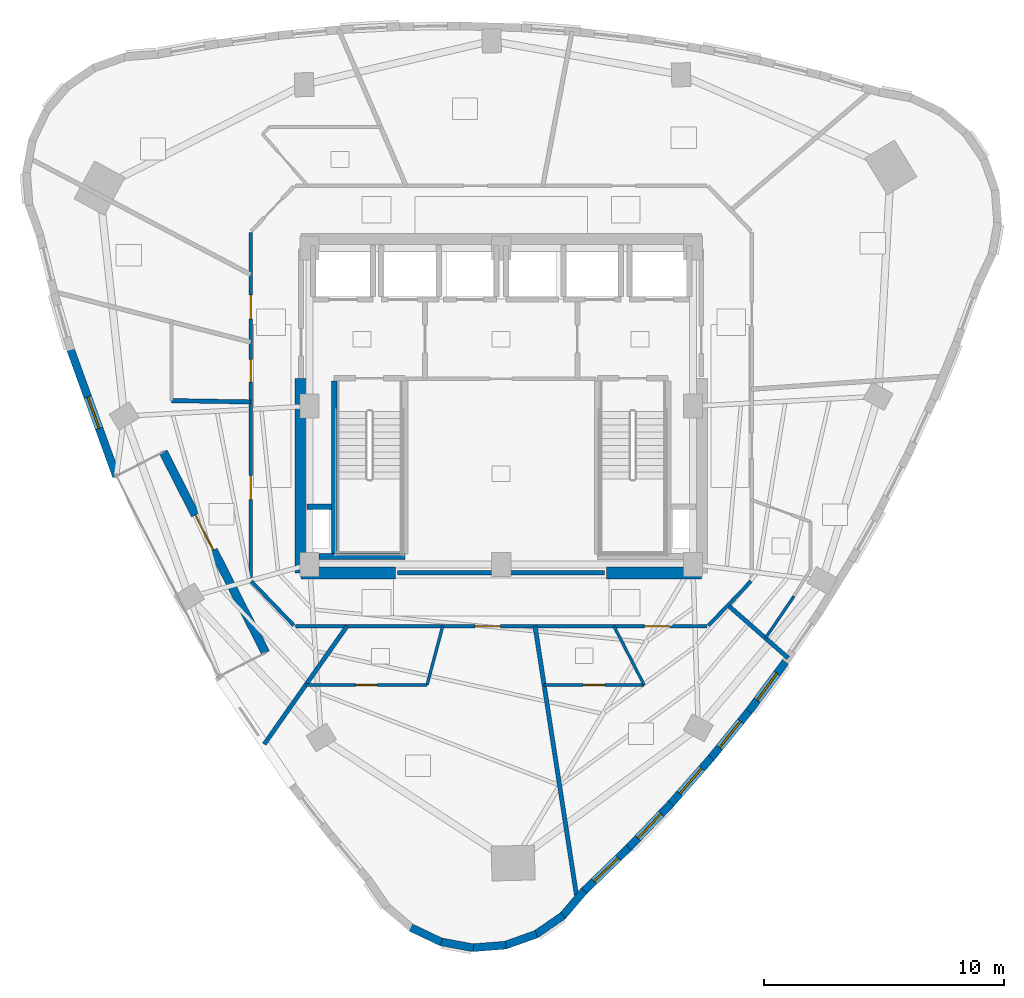
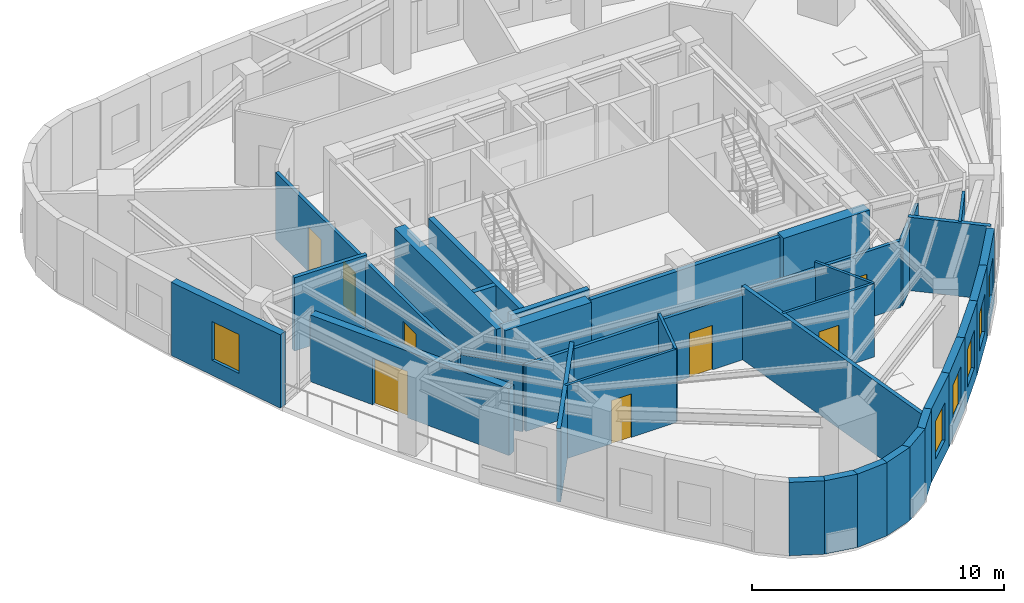
# One storey, part 6 of 12: 33 walls, 8 doors, 6 windows, 14 openings.
"""IFC4 building model written with IfcOpenShell, lengths in metres."""

from ifc_helpers import new_model, si_unit, direction, frame, frame_2d, origin, place, context, subcontext, project, spatial, rectangle, extrude, material, layer, layer_set, type_object, element, fill, save


model = new_model("IFC4")

# Units and contexts
model_context = context("Model", 3, precision=1e-05, world=origin(), true_north=direction((0.0, 1.0)))
body_context = subcontext(model_context, "Body", "Model", "MODEL_VIEW")
ifc_project = project(units=[si_unit("LENGTHUNIT", "METRE"), si_unit("AREAUNIT", "SQUARE_METRE"), si_unit("VOLUMEUNIT", "CUBIC_METRE"), si_unit("PLANEANGLEUNIT", "RADIAN"), si_unit("MASSUNIT", "GRAM", prefix="KILO")], contexts=[model_context])

# Site, building, storey
site_placement = place(None, origin())
site = spatial("IfcSite", under=ifc_project, at=site_placement, CompositionType="ELEMENT")
building_placement = place(site_placement, origin())
building = spatial("IfcBuilding", under=site, at=building_placement, Name="Ndelora Gate Hotel", CompositionType="ELEMENT")
storey_placement = place(building_placement, frame((0.0, 0.0, 201.75)))
storey = spatial("IfcBuildingStorey", under=building, at=storey_placement, Name="L50", CompositionType="ELEMENT", Elevation=201.75)

# Walls
ifc_material_1 = material(Name="Acoustic Double-Stud Gypsum Assembly", Category="gypsum")
ifc_layer_1 = layer(ifc_material_1, 0.179931640625)
ifc_layer_set_1 = layer_set([ifc_layer_1], Name="Acoustic Double-Stud Gypsum Assembly")
wall_type_1 = type_object("IfcWallType", Name="WL-ACOUST-180", PredefinedType="PARTITIONING", material=ifc_layer_set_1)
wall_1_placement = place(storey_placement, frame((-10.449951171875, 0.177490234375, 0.0), z_axis=(0.0, 0.0, 1.0), x_axis=(-0.999856521487, 0.0169391983, 0.0)))
element("IfcWall", 1, at=wall_1_placement, inside=storey, type_object=wall_type_1, Name="L50 Interior Wall IW-3", PredefinedType="PARTITIONING", context=body_context, shape_type="SweptSolid", body=[
    extrude(rectangle(XDim=3.300537109375, YDim=0.179931640625, at=frame_2d((1.650390625, 0.0))), origin(), (0.0, 0.0, 1.0), 3.550048828125),
])
wall_2_placement = place(storey_placement, frame((-6.434326171875, -9.179931640625, 0.0), z_axis=(0.0, 0.0, 1.0), x_axis=(-0.573963891335, -0.818880608785, 0.0)))
element("IfcWall", 2, at=wall_2_placement, inside=storey, type_object=wall_type_1, Name="L50 Interior Wall IW-3", PredefinedType="PARTITIONING", context=body_context, shape_type="SweptSolid", body=[
    extrude(rectangle(XDim=6.010009765625, YDim=0.179931640625, at=frame_2d((3.0048828125, 0.0))), origin(), (0.0, 0.0, 1.0), 3.550048828125),
])
wall_3_placement = place(storey_placement, frame((1.4140625, -9.179931640625, 0.0), z_axis=(0.0, 0.0, 1.0), x_axis=(0.15222758157, -0.988345467643, 0.0)))
element("IfcWall", 3, at=wall_3_placement, inside=storey, type_object=wall_type_1, Name="L50 Interior Wall IW-3", PredefinedType="PARTITIONING", context=body_context, shape_type="SweptSolid", body=[
    extrude(rectangle(XDim=11.52001953125, YDim=0.179931640625, at=frame_2d((5.760009765625, 0.0))), origin(), (0.0, 0.0, 1.0), 3.550048828125),
])
wall_4_placement = place(storey_placement, frame((9.464111328125, -8.3037109375, 0.0), z_axis=(0.0, 0.0, 1.0), x_axis=(0.751711445712, -0.659492154909, 0.0)))
element("IfcWall", 4, at=wall_4_placement, inside=storey, type_object=wall_type_1, Name="L50 Interior Wall IW-3", PredefinedType="PARTITIONING", context=body_context, shape_type="SweptSolid", body=[
    extrude(rectangle(XDim=3.341064453125, YDim=0.179931640625, at=frame_2d((1.67041015625, 0.0))), origin(), (0.0, 0.0, 1.0), 3.550048828125),
])

# Wall, opening, window
ifc_material_2 = material(Name="Clay Brick Masonry", Category="masonry")
ifc_layer_2 = layer(ifc_material_2, 0.330078125)
ifc_layer_set_2 = layer_set([ifc_layer_2], Name="Clay Brick Masonry")
wall_type_2 = type_object("IfcWallType", Name="WL-BRICK-330", PredefinedType="SOLIDWALL", material=ifc_layer_set_2)
wall_5_placement = place(storey_placement, frame((-16.051513671875, -2.931640625, 0.0), z_axis=(0.0, 0.0, 1.0), x_axis=(-0.340145014301, 0.940372994745, 0.0)))
wall_5 = element("IfcWall", 5, at=wall_5_placement, inside=storey, type_object=wall_type_2, Name="L50 Tower Brick Pier-and-Spandrel Wall TWR-11", PredefinedType="SOLIDWALL", context=body_context, shape_type="SweptSolid", body=[
    extrude(rectangle(XDim=5.65673828125, YDim=0.330078125, at=frame_2d((2.828369140625, 0.0))), origin(), (0.0, 0.0, 1.0), 3.550048828125),
])
opening_1_placement = place(wall_5_placement, frame((2.12841796875, 0.0, 0.719970703125)))
opening_1 = element("IfcOpeningElement", 6, at=opening_1_placement, cuts=wall_5, Name="Opening W02", PredefinedType="OPENING", context=body_context, shape_type="SweptSolid", body=[
    extrude(rectangle(XDim=1.39990234375, YDim=1.8798828125, at=frame_2d((0.699951171875, 0.93994140625))), frame((0.0, 0.175048828125, 0.0), z_axis=(0.0, -1.0, 0.0), x_axis=(1.0, 0.0, 0.0)), (0.0, 0.0, 1.0), 0.35009765625),
])
ifc_material_3 = material(Name="Insulated Low-E Double Glazing in Bronze Aluminium Frame", Category="aluminium")
window_type = type_object("IfcWindowType", Name="WN-DEEP-1400", PartitioningType="SINGLE_PANEL", PredefinedType="WINDOW", material=ifc_material_3)
window_1_placement = place(opening_1_placement, origin())
window_1 = element("IfcWindow", 7, at=window_1_placement, inside=storey, type_object=window_type, Name="L50 Deep-Set Brick-Pier Window W02", OverallHeight=1.8798828125, OverallWidth=1.39990234375, PartitioningType="SINGLE_PANEL", PredefinedType="WINDOW", context=body_context, shape_type="SweptSolid", body=[
    extrude(rectangle(XDim=1.39990234375, YDim=1.8798828125, at=frame_2d((0.699951171875, 0.93994140625))), frame((0.0, 0.030029296875, 0.0), z_axis=(0.0, -1.0, 0.0), x_axis=(1.0, 0.0, 0.0)), (0.0, 0.0, 1.0), 0.06005859375),
])
fill(opening_1, window_1)

# Walls
for number, where, z_axis, x_axis, name in (
    (8, (-2.496337890625, -22.360595703125, 0.0), (0.0, 0.0, 1.0), (-0.902597460438, 0.43048556818, 0.0), "L50 Tower Brick Pier-and-Spandrel Wall TWR-21"),
    (9, (-1.15966796875, -22.601806640625, 0.0), (0.0, 0.0, 1.0), (-0.983245180137, 0.182288002174, 0.0), "L50 Tower Brick Pier-and-Spandrel Wall TWR-22"),
):
    element("IfcWall", number, at=place(storey_placement, frame(where, z_axis=z_axis, x_axis=x_axis)), inside=storey, type_object=wall_type_2, Name=name, PredefinedType="SOLIDWALL", context=body_context, shape_type="SweptSolid", body=[
        extrude(rectangle(XDim=1.40771484375, YDim=0.330078125, at=frame_2d((0.703857421875, 0.0))), origin(), (0.0, 0.0, 1.0), 3.550048828125),
    ])
for number, where, z_axis, x_axis, name in (
    (10, (0.19384765625, -22.48876953125, 0.0), (0.0, 0.0, 1.0), (-0.996907811278, -0.07857999626, 0.0), "L50 Tower Brick Pier-and-Spandrel Wall TWR-23"),
    (11, (1.47216796875, -22.029296875, 0.0), (0.0, 0.0, 1.0), (-0.942656791627, -0.33376364871, 0.0), "L50 Tower Brick Pier-and-Spandrel Wall TWR-24"),
    (12, (2.587890625, -21.254638671875, 0.0), (0.0, 0.0, 1.0), (-0.824148199331, -0.566374209812, 0.0), "L50 Tower Brick Pier-and-Spandrel Wall TWR-25"),
    (13, (3.465087890625, -20.217529296875, 0.0), (0.0, 0.0, 1.0), (-0.649318671118, -0.760516445146, 0.0), "L50 Tower Brick Pier-and-Spandrel Wall TWR-26"),
):
    element("IfcWall", number, at=place(storey_placement, frame(where, z_axis=z_axis, x_axis=x_axis)), inside=storey, type_object=wall_type_2, Name=name, PredefinedType="SOLIDWALL", context=body_context, shape_type="SweptSolid", body=[
        extrude(rectangle(XDim=1.407470703125, YDim=0.330078125, at=frame_2d((0.70361328125, 0.0))), origin(), (0.0, 0.0, 1.0), 3.550048828125),
    ])

# Wall, opening, window
wall_6_placement = place(storey_placement, frame((5.323974609375, -18.425537109375, 0.0), z_axis=(0.0, 0.0, 1.0), x_axis=(-0.719291162425, -0.694708732964, 0.0)))
wall_6 = element("IfcWall", 14, at=wall_6_placement, inside=storey, type_object=wall_type_2, Name="L50 Tower Brick Pier-and-Spandrel Wall TWR-27", PredefinedType="SOLIDWALL", context=body_context, shape_type="SweptSolid", body=[
    extrude(rectangle(XDim=2.6318359375, YDim=0.330078125, at=frame_2d((1.31591796875, 0.0))), origin(), (0.0, 0.0, 1.0), 3.550048828125),
])
opening_2_placement = place(wall_6_placement, frame((0.61572265625, 0.0, 0.719970703125)))
opening_2 = element("IfcOpeningElement", 15, at=opening_2_placement, cuts=wall_6, Name="Opening W02", PredefinedType="OPENING", context=body_context, shape_type="SweptSolid", body=[
    extrude(rectangle(XDim=1.39990234375, YDim=1.840087890625, at=frame_2d((0.699951171875, 0.919921875))), frame((0.0, 0.175048828125, 0.0), z_axis=(0.0, -1.0, 0.0), x_axis=(1.0, 0.0, 0.0)), (0.0, 0.0, 1.0), 0.35009765625),
])
window_2_placement = place(opening_2_placement, origin())
window_2 = element("IfcWindow", 16, at=window_2_placement, inside=storey, type_object=window_type, Name="L50 Deep-Set Brick-Pier Window W02", OverallHeight=1.840087890625, OverallWidth=1.39990234375, PartitioningType="SINGLE_PANEL", PredefinedType="WINDOW", context=body_context, shape_type="SweptSolid", body=[
    extrude(rectangle(XDim=1.39990234375, YDim=1.840087890625, at=frame_2d((0.699951171875, 0.919921875))), frame((0.0, 0.030029296875, 0.0), z_axis=(0.0, -1.0, 0.0), x_axis=(1.0, 0.0, 0.0)), (0.0, 0.0, 1.0), 0.06005859375),
])
fill(opening_2, window_2)

wall_7_placement = place(storey_placement, frame((7.091796875, -16.573974609375, 0.0), z_axis=(0.0, 0.0, 1.0), x_axis=(-0.690836041792, -0.723011454516, 0.0)))
wall_7 = element("IfcWall", 17, at=wall_7_placement, inside=storey, type_object=wall_type_2, Name="L50 Tower Brick Pier-and-Spandrel Wall TWR-28", PredefinedType="SOLIDWALL", context=body_context, shape_type="SweptSolid", body=[
    extrude(rectangle(XDim=2.610107421875, YDim=0.330078125, at=frame_2d((1.30517578125, 0.0))), origin(), (0.0, 0.0, 1.0), 3.550048828125),
])
opening_3_placement = place(wall_7_placement, frame((0.60498046875, 0.0, 0.719970703125)))
opening_3 = element("IfcOpeningElement", 18, at=opening_3_placement, cuts=wall_7, Name="Opening W02", PredefinedType="OPENING", context=body_context, shape_type="SweptSolid", body=[
    extrude(rectangle(XDim=1.39990234375, YDim=1.840087890625, at=frame_2d((0.699951171875, 0.919921875))), frame((0.0, 0.175048828125, 0.0), z_axis=(0.0, -1.0, 0.0), x_axis=(1.0, 0.0, 0.0)), (0.0, 0.0, 1.0), 0.35009765625),
])
window_3_placement = place(opening_3_placement, origin())
window_3 = element("IfcWindow", 19, at=window_3_placement, inside=storey, type_object=window_type, Name="L50 Deep-Set Brick-Pier Window W02", OverallHeight=1.840087890625, OverallWidth=1.39990234375, PartitioningType="SINGLE_PANEL", PredefinedType="WINDOW", context=body_context, shape_type="SweptSolid", body=[
    extrude(rectangle(XDim=1.39990234375, YDim=1.840087890625, at=frame_2d((0.699951171875, 0.919921875))), frame((0.0, 0.030029296875, 0.0), z_axis=(0.0, -1.0, 0.0), x_axis=(1.0, 0.0, 0.0)), (0.0, 0.0, 1.0), 0.06005859375),
])
fill(opening_3, window_3)

wall_8_placement = place(storey_placement, frame((8.770751953125, -14.664794921875, 0.0), z_axis=(0.0, 0.0, 1.0), x_axis=(-0.660708561144, -0.75064252293, 0.0)))
wall_8 = element("IfcWall", 20, at=wall_8_placement, inside=storey, type_object=wall_type_2, Name="L50 Tower Brick Pier-and-Spandrel Wall TWR-29", PredefinedType="SOLIDWALL", context=body_context, shape_type="SweptSolid", body=[
    extrude(rectangle(XDim=2.592529296875, YDim=0.330078125, at=frame_2d((1.29638671875, 0.0))), origin(), (0.0, 0.0, 1.0), 3.550048828125),
])
opening_4_placement = place(wall_8_placement, frame((0.59619140625, 0.0, 0.719970703125)))
opening_4 = element("IfcOpeningElement", 21, at=opening_4_placement, cuts=wall_8, Name="Opening W02", PredefinedType="OPENING", context=body_context, shape_type="SweptSolid", body=[
    extrude(rectangle(XDim=1.39990234375, YDim=1.840087890625, at=frame_2d((0.699951171875, 0.919921875))), frame((0.0, 0.175048828125, 0.0), z_axis=(0.0, -1.0, 0.0), x_axis=(1.0, 0.0, 0.0)), (0.0, 0.0, 1.0), 0.35009765625),
])
window_4_placement = place(opening_4_placement, origin())
window_4 = element("IfcWindow", 22, at=window_4_placement, inside=storey, type_object=window_type, Name="L50 Deep-Set Brick-Pier Window W02", OverallHeight=1.840087890625, OverallWidth=1.39990234375, PartitioningType="SINGLE_PANEL", PredefinedType="WINDOW", context=body_context, shape_type="SweptSolid", body=[
    extrude(rectangle(XDim=1.39990234375, YDim=1.840087890625, at=frame_2d((0.699951171875, 0.919921875))), frame((0.0, 0.030029296875, 0.0), z_axis=(0.0, -1.0, 0.0), x_axis=(1.0, 0.0, 0.0)), (0.0, 0.0, 1.0), 0.06005859375),
])
fill(opening_4, window_4)

wall_9_placement = place(storey_placement, frame((10.361328125, -12.697998046875, 0.0), z_axis=(0.0, 0.0, 1.0), x_axis=(-0.629151938827, -0.777282341154, 0.0)))
wall_9 = element("IfcWall", 23, at=wall_9_placement, inside=storey, type_object=wall_type_2, Name="L50 Tower Brick Pier-and-Spandrel Wall TWR-30", PredefinedType="SOLIDWALL", context=body_context, shape_type="SweptSolid", body=[
    extrude(rectangle(XDim=2.579345703125, YDim=0.330078125, at=frame_2d((1.28955078125, 0.0))), origin(), (0.0, 0.0, 1.0), 3.550048828125),
])
opening_5_placement = place(wall_9_placement, frame((0.589599609375, 0.0, 0.719970703125)))
opening_5 = element("IfcOpeningElement", 24, at=opening_5_placement, cuts=wall_9, Name="Opening W02", PredefinedType="OPENING", context=body_context, shape_type="SweptSolid", body=[
    extrude(rectangle(XDim=1.39990234375, YDim=1.840087890625, at=frame_2d((0.699951171875, 0.919921875))), frame((0.0, 0.175048828125, 0.0), z_axis=(0.0, -1.0, 0.0), x_axis=(1.0, 0.0, 0.0)), (0.0, 0.0, 1.0), 0.35009765625),
])
window_5_placement = place(opening_5_placement, origin())
window_5 = element("IfcWindow", 25, at=window_5_placement, inside=storey, type_object=window_type, Name="L50 Deep-Set Brick-Pier Window W02", OverallHeight=1.840087890625, OverallWidth=1.39990234375, PartitioningType="SINGLE_PANEL", PredefinedType="WINDOW", context=body_context, shape_type="SweptSolid", body=[
    extrude(rectangle(XDim=1.39990234375, YDim=1.840087890625, at=frame_2d((0.699951171875, 0.919921875))), frame((0.0, 0.030029296875, 0.0), z_axis=(0.0, -1.0, 0.0), x_axis=(1.0, 0.0, 0.0)), (0.0, 0.0, 1.0), 0.06005859375),
])
fill(opening_5, window_5)

wall_10_placement = place(storey_placement, frame((11.86328125, -10.673828125, 0.0), z_axis=(0.0, 0.0, 1.0), x_axis=(-0.596178851143, -0.802851653451, 0.0)))
wall_10 = element("IfcWall", 26, at=wall_10_placement, inside=storey, type_object=wall_type_2, Name="L50 Tower Brick Pier-and-Spandrel Wall TWR-31", PredefinedType="SOLIDWALL", context=body_context, shape_type="SweptSolid", body=[
    extrude(rectangle(XDim=2.570556640625, YDim=0.330078125, at=frame_2d((1.28515625, 0.0))), origin(), (0.0, 0.0, 1.0), 3.550048828125),
])
opening_6_placement = place(wall_10_placement, frame((0.585205078125, 0.0, 0.719970703125)))
opening_6 = element("IfcOpeningElement", 27, at=opening_6_placement, cuts=wall_10, Name="Opening W02", PredefinedType="OPENING", context=body_context, shape_type="SweptSolid", body=[
    extrude(rectangle(XDim=1.39990234375, YDim=1.840087890625, at=frame_2d((0.699951171875, 0.919921875))), frame((0.0, 0.175048828125, 0.0), z_axis=(0.0, -1.0, 0.0), x_axis=(1.0, 0.0, 0.0)), (0.0, 0.0, 1.0), 0.35009765625),
])
window_6_placement = place(opening_6_placement, origin())
window_6 = element("IfcWindow", 28, at=window_6_placement, inside=storey, type_object=window_type, Name="L50 Deep-Set Brick-Pier Window W02", OverallHeight=1.840087890625, OverallWidth=1.39990234375, PartitioningType="SINGLE_PANEL", PredefinedType="WINDOW", context=body_context, shape_type="SweptSolid", body=[
    extrude(rectangle(XDim=1.39990234375, YDim=1.840087890625, at=frame_2d((0.699951171875, 0.919921875))), frame((0.0, 0.030029296875, 0.0), z_axis=(0.0, -1.0, 0.0), x_axis=(1.0, 0.0, 0.0)), (0.0, 0.0, 1.0), 0.06005859375),
])
fill(opening_6, window_6)

# Wall, opening, door
ifc_layer_3 = layer(ifc_material_2, 0.360107421875)
ifc_layer_set_3 = layer_set([ifc_layer_3], Name="Clay Brick Masonry")
wall_type_3 = type_object("IfcWallType", Name="WL-BRICK-360", PredefinedType="SOLIDWALL", material=ifc_layer_set_3)
wall_11_placement = place(storey_placement, frame((-9.83251953125, -10.284912109375, 0.0), z_axis=(0.0, 0.0, 1.0), x_axis=(-0.453963909428, 0.891020072129, 0.0)))
wall_11 = element("IfcWall", 29, at=wall_11_placement, inside=storey, type_object=wall_type_3, Name="L50 Sky-Garden Loggia Rear Brick Wall", PredefinedType="SOLIDWALL", context=body_context, shape_type="SweptSolid", body=[
    extrude(rectangle(XDim=9.400146484375, YDim=0.360107421875, at=frame_2d((4.7001953125, 0.0))), origin(), (0.0, 0.0, 1.0), 3.22998046875),
])
opening_7_placement = place(wall_11_placement, frame((4.800048828125, 0.0, 0.0)))
opening_7 = element("IfcOpeningElement", 30, at=opening_7_placement, cuts=wall_11, Name="Opening TD1", PredefinedType="OPENING", context=body_context, shape_type="SweptSolid", body=[
    extrude(rectangle(XDim=1.64990234375, YDim=2.25, at=frame_2d((0.824951171875, 1.125))), frame((0.0, 0.18994140625, 0.0), z_axis=(0.0, -1.0, 0.0), x_axis=(1.0, 0.0, 0.0)), (0.0, 0.0, 1.0), 0.380126953125),
])
ifc_material_4 = material(Name="Architectural Bronze Glazed Door", Category="metal")
door_type_1 = type_object("IfcDoorType", Name="DR-TER-1650", OperationType="DOUBLE_DOOR_SINGLE_SWING", PredefinedType="DOOR", material=ifc_material_4)
door_1_placement = place(opening_7_placement, origin())
door_1 = element("IfcDoor", 31, at=door_1_placement, inside=storey, type_object=door_type_1, Name="L50 Sky-Garden Terrace Double Door TD1", OperationType="DOUBLE_DOOR_SINGLE_SWING", OverallHeight=2.25, OverallWidth=1.64990234375, PredefinedType="DOOR", context=body_context, shape_type="SweptSolid", body=[
    extrude(rectangle(XDim=1.64990234375, YDim=2.25, at=frame_2d((0.824951171875, 1.125))), frame((0.0, 0.02490234375, 0.0), z_axis=(0.0, -1.0, 0.0), x_axis=(1.0, 0.0, 0.0)), (0.0, 0.0, 1.0), 0.050048828125),
])
fill(opening_7, door_1)

# Walls
ifc_material_5 = material(Name="Concrete C50/60", Category="concrete")
ifc_layer_4 = layer(ifc_material_5, 0.5)
ifc_layer_set_4 = layer_set([ifc_layer_4], Name="Concrete C50/60")
wall_type_4 = type_object("IfcWallType", Name="WL-CORE-500", PredefinedType="SHEAR", material=ifc_layer_set_4)
for number, where, z_axis, x_axis, name in (
    (32, (-8.35009765625, -6.949951171875, 0.0), (0.0, 0.0, 1.0), (1.0, 0.0, 0.0), "L50 Core Shear Wall S-W"),
    (33, (4.39990234375, -6.949951171875, 0.0), (0.0, 0.0, 1.0), (1.0, 0.0, 0.0), "L50 Core Shear Wall S-E"),
):
    element("IfcWall", number, at=place(storey_placement, frame(where, z_axis=z_axis, x_axis=x_axis)), inside=storey, type_object=wall_type_4, Name=name, PredefinedType="SHEAR", context=body_context, shape_type="SweptSolid", body=[
        extrude(rectangle(XDim=3.9501953125, YDim=0.5, at=frame_2d((1.97509765625, 0.0))), origin(), (0.0, 0.0, 1.0), 3.550048828125),
    ])
wall_12_placement = place(storey_placement, frame((-8.35009765625, -6.949951171875, 0.0), z_axis=(0.0, 0.0, 1.0), x_axis=(0.0, 1.0, 0.0)))
element("IfcWall", 34, at=wall_12_placement, inside=storey, type_object=wall_type_4, Name="L50 Core Shear Wall W", PredefinedType="SHEAR", context=body_context, shape_type="SweptSolid", body=[
    extrude(rectangle(XDim=8.099853515625, YDim=0.5, at=frame_2d((4.0498046875, 0.0))), origin(), (0.0, 0.0, 1.0), 3.550048828125),
])
ifc_material_6 = material(Name="Concrete C40/50", Category="concrete")
ifc_layer_5 = layer(ifc_material_6, 0.199951171875)
ifc_layer_set_5 = layer_set([ifc_layer_5], Name="Concrete C40/50")
wall_type_5 = type_object("IfcWallType", Name="WL-FIRE-200", PredefinedType="PARTITIONING", material=ifc_layer_set_5)
wall_13_placement = place(storey_placement, frame((-4.320068359375, -6.949951171875, 0.0), z_axis=(0.0, 0.0, 1.0), x_axis=(1.0, 0.0, 0.0)))
element("IfcWall", 35, at=wall_13_placement, inside=storey, type_object=wall_type_5, Name="L50 Interior Wall IW-2", PredefinedType="PARTITIONING", context=body_context, shape_type="SweptSolid", body=[
    extrude(rectangle(XDim=8.64013671875, YDim=0.199951171875, at=frame_2d((4.320068359375, 0.0))), origin(), (0.0, 0.0, 1.0), 3.550048828125),
])

# Wall, openings, doors
ifc_material_7 = material(Name="Fire-Rated Gypsum Stud Partition", Category="gypsum")
ifc_layer_6 = layer(ifc_material_7, 0.14990234375)
ifc_layer_set_6 = layer_set([ifc_layer_6], Name="Fire-Rated Gypsum Stud Partition")
wall_type_6 = type_object("IfcWallType", Name="WL-PART-150", PredefinedType="PARTITIONING", material=ifc_layer_set_6)
wall_14_placement = place(storey_placement, frame((8.580078125, -9.179931640625, 0.0), z_axis=(0.0, 0.0, 1.0), x_axis=(-1.0, 0.0, 0.0)))
wall_14 = element("IfcWall", 36, at=wall_14_placement, inside=storey, type_object=wall_type_6, Name="L50 Interior Wall IW-5", PredefinedType="PARTITIONING", context=body_context, shape_type="SweptSolid", body=[
    extrude(rectangle(XDim=17.16015625, YDim=0.14990234375, at=frame_2d((8.580078125, 0.0))), origin(), (0.0, 0.0, 1.0), 3.22998046875),
])
opening_8_placement = place(wall_14_placement, frame((1.5458984375, 0.0, 0.0)))
opening_8 = element("IfcOpeningElement", 37, at=opening_8_placement, cuts=wall_14, Name="Opening D07", PredefinedType="OPENING", context=body_context, shape_type="SweptSolid", body=[
    extrude(rectangle(XDim=1.06005859375, YDim=2.14990234375, at=frame_2d((0.530029296875, 1.074951171875))), frame((0.0, 0.0849609375, 0.0), z_axis=(0.0, -1.0, 0.0), x_axis=(1.0, 0.0, 0.0)), (0.0, 0.0, 1.0), 0.169921875),
])
opening_9_placement = place(wall_14_placement, frame((8.614501953125, 0.0, 0.0)))
opening_9 = element("IfcOpeningElement", 38, at=opening_9_placement, cuts=wall_14, Name="Opening D07", PredefinedType="OPENING", context=body_context, shape_type="SweptSolid", body=[
    extrude(rectangle(XDim=1.06005859375, YDim=2.14990234375, at=frame_2d((0.530029296875, 1.074951171875))), frame((0.0, 0.0849609375, 0.0), z_axis=(0.0, -1.0, 0.0), x_axis=(1.0, 0.0, 0.0)), (0.0, 0.0, 1.0), 0.169921875),
])
ifc_material_8 = material(Name="Diplomatic Suite Acoustic Entrance Door", Category="wood")
door_type_2 = type_object("IfcDoorType", Name="DR-SUITE-1060", OperationType="SINGLE_SWING_LEFT", PredefinedType="DOOR", material=ifc_material_8)
door_2_placement = place(opening_8_placement, origin())
door_2 = element("IfcDoor", 39, at=door_2_placement, inside=storey, type_object=door_type_2, Name="L50 South Panoramic Suite 5302 Entrance Door", OperationType="SINGLE_SWING_LEFT", OverallHeight=2.14990234375, OverallWidth=1.06005859375, PredefinedType="DOOR", context=body_context, shape_type="SweptSolid", body=[
    extrude(rectangle(XDim=1.06005859375, YDim=2.14990234375, at=frame_2d((0.530029296875, 1.074951171875))), frame((0.0, 0.02490234375, 0.0), z_axis=(0.0, -1.0, 0.0), x_axis=(1.0, 0.0, 0.0)), (0.0, 0.0, 1.0), 0.050048828125),
])
fill(opening_8, door_2)
door_3_placement = place(opening_9_placement, origin())
door_3 = element("IfcDoor", 40, at=door_3_placement, inside=storey, type_object=door_type_2, Name="L50 Grand Corner Suite 5301 Entrance Door", OperationType="SINGLE_SWING_LEFT", OverallHeight=2.14990234375, OverallWidth=1.06005859375, PredefinedType="DOOR", context=body_context, shape_type="SweptSolid", body=[
    extrude(rectangle(XDim=1.06005859375, YDim=2.14990234375, at=frame_2d((0.530029296875, 1.074951171875))), frame((0.0, 0.02490234375, 0.0), z_axis=(0.0, -1.0, 0.0), x_axis=(1.0, 0.0, 0.0)), (0.0, 0.0, 1.0), 0.050048828125),
])
fill(opening_9, door_3)

# Wall
wall_15_placement = place(storey_placement, frame((10.42236328125, -7.308837890625, 0.0), z_axis=(0.0, 0.0, 1.0), x_axis=(-0.693764562202, -0.720201869085, 0.0)))
element("IfcWall", 41, at=wall_15_placement, inside=storey, type_object=wall_type_6, Name="L50 Interior Wall IW-5", PredefinedType="PARTITIONING", context=body_context, shape_type="SweptSolid", body=[
    extrude(rectangle(XDim=2.55810546875, YDim=0.14990234375, at=frame_2d((1.279052734375, 0.0))), origin(), (0.0, 0.0, 1.0), 3.22998046875),
])

# Wall, openings, doors
wall_16_placement = place(storey_placement, frame((-10.449951171875, -7.239990234375, 0.0), z_axis=(0.0, 0.0, 1.0), x_axis=(0.0, 1.0, 0.0)))
wall_16 = element("IfcWall", 42, at=wall_16_placement, inside=storey, type_object=wall_type_6, Name="L50 Interior Wall IW-5", PredefinedType="PARTITIONING", context=body_context, shape_type="SweptSolid", body=[
    extrude(rectangle(XDim=14.47998046875, YDim=0.14990234375, at=frame_2d((7.239990234375, 0.0))), origin(), (0.0, 0.0, 1.0), 3.22998046875),
])
opening_10_placement = place(wall_16_placement, frame((8.2431640625, 0.0, 0.0)))
opening_10 = element("IfcOpeningElement", 43, at=opening_10_placement, cuts=wall_16, Name="Opening D05", PredefinedType="OPENING", context=body_context, shape_type="SweptSolid", body=[
    extrude(rectangle(XDim=0.949951171875, YDim=2.10009765625, at=frame_2d((0.47509765625, 1.050048828125))), frame((0.0, 0.0849609375, 0.0), z_axis=(0.0, -1.0, 0.0), x_axis=(1.0, 0.0, 0.0)), (0.0, 0.0, 1.0), 0.169921875),
])
opening_11_placement = place(wall_16_placement, frame((10.8837890625, 0.0, 0.0)))
opening_11 = element("IfcOpeningElement", 44, at=opening_11_placement, cuts=wall_16, Name="Opening D01", PredefinedType="OPENING", context=body_context, shape_type="SweptSolid", body=[
    extrude(rectangle(XDim=1.0, YDim=2.14990234375, at=frame_2d((0.5, 1.074951171875))), frame((0.0, 0.0849609375, 0.0), z_axis=(0.0, -1.0, 0.0), x_axis=(1.0, 0.0, 0.0)), (0.0, 0.0, 1.0), 0.169921875),
])
opening_12_placement = place(wall_16_placement, frame((3.3486328125, 0.0, 0.0)))
opening_12 = element("IfcOpeningElement", 45, at=opening_12_placement, cuts=wall_16, Name="Opening D01", PredefinedType="OPENING", context=body_context, shape_type="SweptSolid", body=[
    extrude(rectangle(XDim=1.0, YDim=2.14990234375, at=frame_2d((0.5, 1.074951171875))), frame((0.0, 0.0849609375, 0.0), z_axis=(0.0, -1.0, 0.0), x_axis=(1.0, 0.0, 0.0)), (0.0, 0.0, 1.0), 0.169921875),
])
ifc_material_9 = material(Name="Accessible Restroom Wide-Clearance Door", Category="wood")
door_type_3 = type_object("IfcDoorType", Name="DR-ACC-950", OperationType="SINGLE_SWING_LEFT", PredefinedType="DOOR", material=ifc_material_9)
door_4_placement = place(opening_10_placement, origin())
door_4 = element("IfcDoor", 46, at=door_4_placement, inside=storey, type_object=door_type_3, Name="L50 Accessible WC Entrance Door", OperationType="SINGLE_SWING_RIGHT", OverallHeight=2.10009765625, OverallWidth=0.949951171875, PredefinedType="DOOR", context=body_context, shape_type="SweptSolid", body=[
    extrude(rectangle(XDim=0.949951171875, YDim=2.10009765625, at=frame_2d((0.47509765625, 1.050048828125))), frame((0.0, 0.02490234375, 0.0), z_axis=(0.0, -1.0, 0.0), x_axis=(1.0, 0.0, 0.0)), (0.0, 0.0, 1.0), 0.050048828125),
])
fill(opening_10, door_4)
ifc_material_10 = material(Name="Acoustic Hardwood Guest Entrance Door", Category="wood")
door_type_4 = type_object("IfcDoorType", Name="DR-COR-1000", OperationType="SINGLE_SWING_LEFT", PredefinedType="DOOR", material=ifc_material_10)
door_5_placement = place(opening_11_placement, origin())
door_5 = element("IfcDoor", 47, at=door_5_placement, inside=storey, type_object=door_type_4, Name="L50 Housekeeping and Linen Room Entrance Door", OperationType="SINGLE_SWING_LEFT", OverallHeight=2.14990234375, OverallWidth=1.0, PredefinedType="DOOR", context=body_context, shape_type="SweptSolid", body=[
    extrude(rectangle(XDim=1.0, YDim=2.14990234375, at=frame_2d((0.5, 1.074951171875))), frame((0.0, 0.02490234375, 0.0), z_axis=(0.0, -1.0, 0.0), x_axis=(1.0, 0.0, 0.0)), (0.0, 0.0, 1.0), 0.050048828125),
])
fill(opening_11, door_5)
door_6_placement = place(opening_12_placement, origin())
door_6 = element("IfcDoor", 48, at=door_6_placement, inside=storey, type_object=door_type_4, Name="L50 Sky Garden Tea Dining Room Entrance Door", OperationType="SINGLE_SWING_RIGHT", OverallHeight=2.14990234375, OverallWidth=1.0, PredefinedType="DOOR", context=body_context, shape_type="SweptSolid", body=[
    extrude(rectangle(XDim=1.0, YDim=2.14990234375, at=frame_2d((0.5, 1.074951171875))), frame((0.0, 0.02490234375, 0.0), z_axis=(0.0, -1.0, 0.0), x_axis=(1.0, 0.0, 0.0)), (0.0, 0.0, 1.0), 0.050048828125),
])
fill(opening_12, door_6)

# Walls
wall_17_placement = place(storey_placement, frame((-8.647705078125, -9.151123046875, 0.0), z_axis=(0.0, 0.0, 1.0), x_axis=(-0.693764562202, 0.720201869085, 0.0)))
element("IfcWall", 49, at=wall_17_placement, inside=storey, type_object=wall_type_6, Name="L50 Interior Wall IW-5", PredefinedType="PARTITIONING", context=body_context, shape_type="SweptSolid", body=[
    extrude(rectangle(XDim=2.55810546875, YDim=0.14990234375, at=frame_2d((1.279052734375, 0.0))), origin(), (0.0, 0.0, 1.0), 3.22998046875),
])
ifc_layer_7 = layer(ifc_material_6, 0.219970703125)
ifc_layer_set_7 = layer_set([ifc_layer_7], Name="Concrete C40/50")
wall_type_7 = type_object("IfcWallType", Name="WL-SHAFT-220", PredefinedType="PARTITIONING", material=ifc_layer_set_7)
wall_18_placement = place(storey_placement, frame((-8.10009765625, -4.199951171875, 0.0), z_axis=(0.0, 0.0, 1.0), x_axis=(1.0, 0.0, 0.0)))
element("IfcWall", 50, at=wall_18_placement, inside=storey, type_object=wall_type_7, Name="L50 Interior Wall IW-1", PredefinedType="PARTITIONING", context=body_context, shape_type="SweptSolid", body=[
    extrude(rectangle(XDim=1.010009765625, YDim=0.219970703125, at=frame_2d((0.5048828125, 0.0))), origin(), (0.0, 0.0, 1.0), 3.550048828125),
])
ifc_layer_8 = layer(ifc_material_5, 0.239990234375)
ifc_layer_set_8 = layer_set([ifc_layer_8], Name="Concrete C50/60")
wall_type_8 = type_object("IfcWallType", Name="WL-STAIR-240", PredefinedType="SHEAR", material=ifc_layer_set_8)
wall_19_placement = place(storey_placement, frame((-6.969970703125, -6.159912109375, 0.0), z_axis=(0.0, 0.0, 1.0), x_axis=(0.0, 1.0, 0.0)))
element("IfcWall", 51, at=wall_19_placement, inside=storey, type_object=wall_type_8, Name="L50 Stair Core Shear Wall SW-ST", PredefinedType="SHEAR", context=body_context, shape_type="SweptSolid", body=[
    extrude(rectangle(XDim=7.219970703125, YDim=0.239990234375, at=frame_2d((3.60986328125, 0.0))), origin(), (0.0, 0.0, 1.0), 3.550048828125),
])
wall_20_placement = place(storey_placement, frame((-7.60009765625, -6.27001953125, 0.0), z_axis=(0.0, 0.0, 1.0), x_axis=(1.0, 0.0, 0.0)))
element("IfcWall", 52, at=wall_20_placement, inside=storey, type_object=wall_type_8, Name="L50 Stair Core Shear Wall SW-ST", PredefinedType="SHEAR", context=body_context, shape_type="SweptSolid", body=[
    extrude(rectangle(XDim=3.590087890625, YDim=0.239990234375, at=frame_2d((1.794921875, 0.0))), origin(), (0.0, 0.0, 1.0), 3.550048828125),
])
ifc_material_11 = material(Name="Moisture-Resistant Bathroom Tile Partition", Category="gypsum")
ifc_layer_9 = layer(ifc_material_11, 0.1201171875)
ifc_layer_set_9 = layer_set([ifc_layer_9], Name="Moisture-Resistant Bathroom Tile Partition")
wall_type_9 = type_object("IfcWallType", Name="WL-WET-120", PredefinedType="PARTITIONING", material=ifc_layer_set_9)
wall_21_placement = place(storey_placement, frame((-2.440185546875, -9.179931640625, 0.0), z_axis=(0.0, 0.0, 1.0), x_axis=(-0.256943284385, -0.96642648381, 0.0)))
element("IfcWall", 53, at=wall_21_placement, inside=storey, type_object=wall_type_9, Name="L50 Interior Wall IW-7", PredefinedType="PARTITIONING", context=body_context, shape_type="SweptSolid", body=[
    extrude(rectangle(XDim=2.53515625, YDim=0.1201171875, at=frame_2d((1.267578125, 0.0))), origin(), (0.0, 0.0, 1.0), 3.550048828125),
])

# Wall, opening, door
wall_22_placement = place(storey_placement, frame((-3.091552734375, -11.6298828125, 0.0), z_axis=(0.0, 0.0, 1.0), x_axis=(-1.0, 0.0, 0.0)))
wall_22 = element("IfcWall", 54, at=wall_22_placement, inside=storey, type_object=wall_type_9, Name="L50 Interior Wall IW-7", PredefinedType="PARTITIONING", context=body_context, shape_type="SweptSolid", body=[
    extrude(rectangle(XDim=5.06005859375, YDim=0.1201171875, at=frame_2d((2.530029296875, 0.0))), origin(), (0.0, 0.0, 1.0), 3.550048828125),
])
opening_13_placement = place(wall_22_placement, frame((2.070068359375, 0.0, 0.0)))
opening_13 = element("IfcOpeningElement", 55, at=opening_13_placement, cuts=wall_22, Name="Opening D03", PredefinedType="OPENING", context=body_context, shape_type="SweptSolid", body=[
    extrude(rectangle(XDim=0.919921875, YDim=2.10009765625, at=frame_2d((0.4599609375, 1.050048828125))), frame((0.0, 0.070068359375, 0.0), z_axis=(0.0, -1.0, 0.0), x_axis=(1.0, 0.0, 0.0)), (0.0, 0.0, 1.0), 0.14013671875),
])
ifc_material_12 = material(Name="Moisture-Resistant Hardwood En-Suite Door", Category="wood")
door_type_5 = type_object("IfcDoorType", Name="DR-BATH-920", OperationType="SINGLE_SWING_LEFT", PredefinedType="DOOR", material=ifc_material_12)
door_7_placement = place(opening_13_placement, origin())
door_7 = element("IfcDoor", 56, at=door_7_placement, inside=storey, type_object=door_type_5, Name="L50 En-suite Bathroom 5301 Door", OperationType="SINGLE_SWING_RIGHT", OverallHeight=2.10009765625, OverallWidth=0.919921875, PredefinedType="DOOR", context=body_context, shape_type="SweptSolid", body=[
    extrude(rectangle(XDim=0.919921875, YDim=2.10009765625, at=frame_2d((0.4599609375, 1.050048828125))), frame((0.0, 0.02490234375, 0.0), z_axis=(0.0, -1.0, 0.0), x_axis=(1.0, 0.0, 0.0)), (0.0, 0.0, 1.0), 0.050048828125),
])
fill(opening_13, door_7)

# Wall
wall_23_placement = place(storey_placement, frame((5.963623046875, -11.6298828125, 0.0), z_axis=(0.0, 0.0, 1.0), x_axis=(-0.456305846295, 0.889823001859, 0.0)))
element("IfcWall", 57, at=wall_23_placement, inside=storey, type_object=wall_type_9, Name="L50 Interior Wall IW-7", PredefinedType="PARTITIONING", context=body_context, shape_type="SweptSolid", body=[
    extrude(rectangle(XDim=2.75341796875, YDim=0.1201171875, at=frame_2d((1.376708984375, 0.0))), origin(), (0.0, 0.0, 1.0), 3.550048828125),
])

# Wall, opening, door
wall_24_placement = place(storey_placement, frame((5.963623046875, -11.6298828125, 0.0), z_axis=(0.0, 0.0, 1.0), x_axis=(-1.0, 0.0, 0.0)))
wall_24 = element("IfcWall", 58, at=wall_24_placement, inside=storey, type_object=wall_type_9, Name="L50 Interior Wall IW-7", PredefinedType="PARTITIONING", context=body_context, shape_type="SweptSolid", body=[
    extrude(rectangle(XDim=4.172119140625, YDim=0.1201171875, at=frame_2d((2.0859375, 0.0))), origin(), (0.0, 0.0, 1.0), 3.550048828125),
])
opening_14_placement = place(wall_24_placement, frame((1.626220703125, 0.0, 0.0)))
opening_14 = element("IfcOpeningElement", 59, at=opening_14_placement, cuts=wall_24, Name="Opening D03", PredefinedType="OPENING", context=body_context, shape_type="SweptSolid", body=[
    extrude(rectangle(XDim=0.919921875, YDim=2.10009765625, at=frame_2d((0.4599609375, 1.050048828125))), frame((0.0, 0.070068359375, 0.0), z_axis=(0.0, -1.0, 0.0), x_axis=(1.0, 0.0, 0.0)), (0.0, 0.0, 1.0), 0.14013671875),
])
door_8_placement = place(opening_14_placement, origin())
door_8 = element("IfcDoor", 60, at=door_8_placement, inside=storey, type_object=door_type_5, Name="L50 En-suite Bathroom 5302 Door", OperationType="SINGLE_SWING_LEFT", OverallHeight=2.10009765625, OverallWidth=0.919921875, PredefinedType="DOOR", context=body_context, shape_type="SweptSolid", body=[
    extrude(rectangle(XDim=0.919921875, YDim=2.10009765625, at=frame_2d((0.4599609375, 1.050048828125))), frame((0.0, 0.02490234375, 0.0), z_axis=(0.0, -1.0, 0.0), x_axis=(1.0, 0.0, 0.0)), (0.0, 0.0, 1.0), 0.050048828125),
])
fill(opening_14, door_8)

# Wall
wall_25_placement = place(storey_placement, frame((11.02880859375, -9.676513671875, 0.0), z_axis=(0.0, 0.0, 1.0), x_axis=(0.562050393964, 0.82710298914, 0.0)))
element("IfcWall", 61, at=wall_25_placement, inside=storey, type_object=wall_type_9, Name="L50 Interior Wall IW-7", PredefinedType="PARTITIONING", context=body_context, shape_type="SweptSolid", body=[
    extrude(rectangle(XDim=2.109375, YDim=0.1201171875, at=frame_2d((1.0546875, 0.0))), origin(), (0.0, 0.0, 1.0), 3.550048828125),
])

save(model, "model.ifc")
